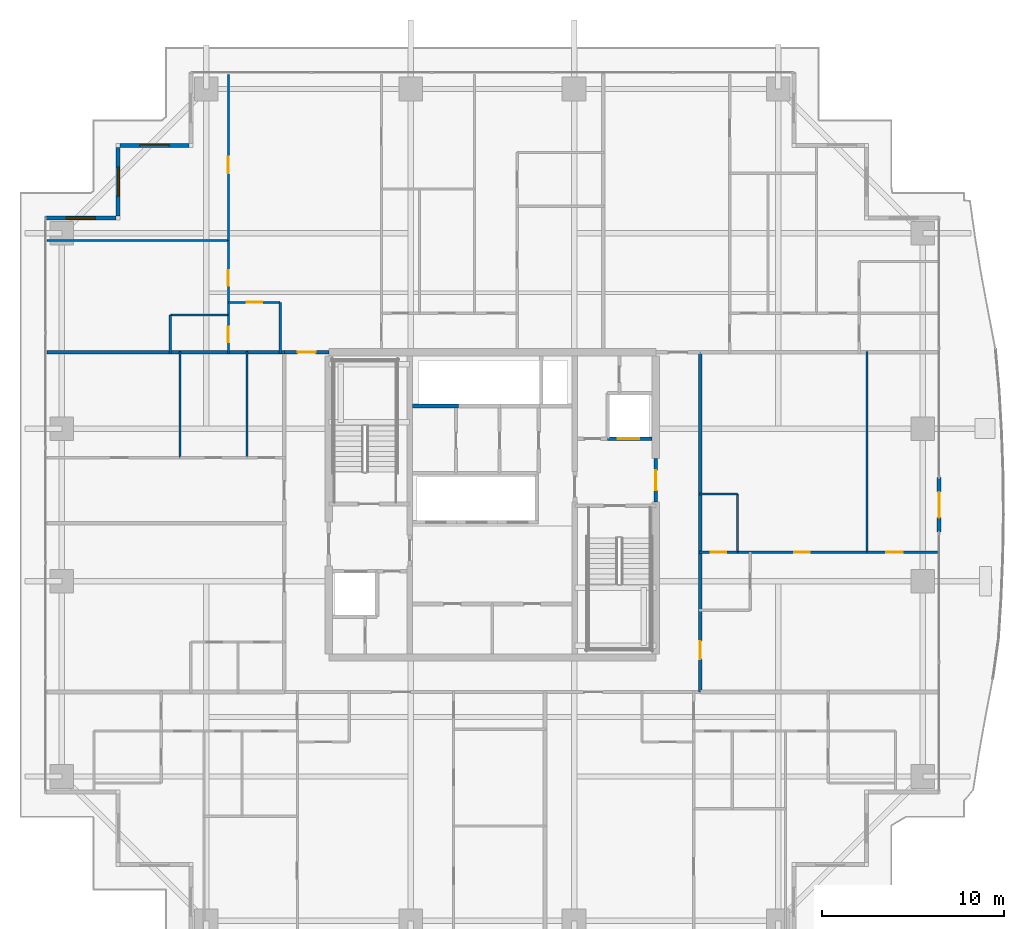
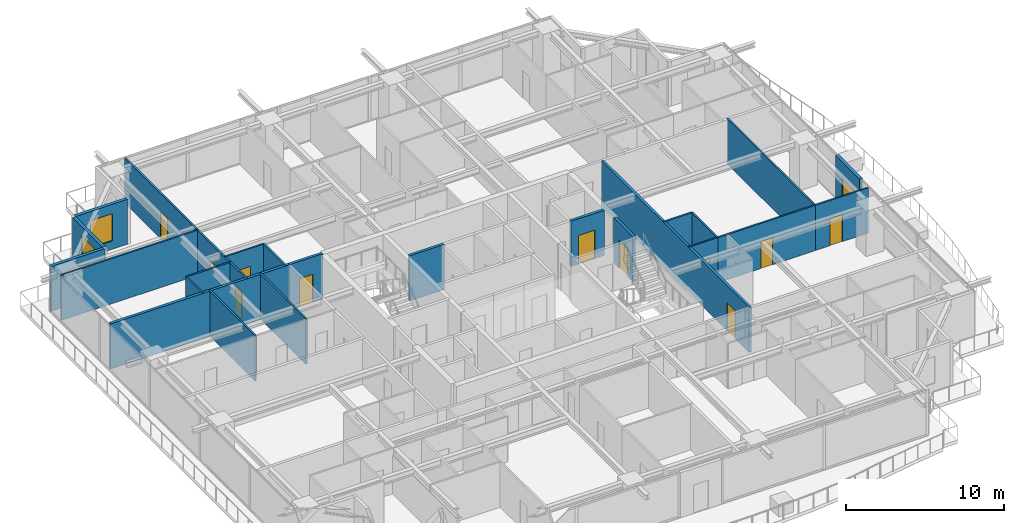
# One storey, part 30 of 38: 26 walls, 12 doors, 3 windows, 15 openings.
"""IFC4 building model written with IfcOpenShell, lengths in metres."""

from ifc_helpers import new_model, si_unit, direction, frame, frame_2d, origin, place, context, subcontext, project, spatial, rectangle, extrude, source, transform, mapped, material, layer, layer_set, type_object, element, fill, save


model = new_model("IFC4")

# Units and contexts
model_context = context("Model", 3, precision=1e-05, world=origin(), true_north=direction((0.0, 1.0)))
body_context = subcontext(model_context, "Body", "Model", "MODEL_VIEW")
ifc_project = project(units=[si_unit("LENGTHUNIT", "METRE"), si_unit("AREAUNIT", "SQUARE_METRE"), si_unit("VOLUMEUNIT", "CUBIC_METRE"), si_unit("PLANEANGLEUNIT", "RADIAN"), si_unit("MASSUNIT", "GRAM", prefix="KILO")], contexts=[model_context])

# Site, building, storey
site_placement = place(None, origin())
site = spatial("IfcSite", under=ifc_project, at=site_placement, CompositionType="ELEMENT")
building_placement = place(site_placement, origin())
building = spatial("IfcBuilding", under=site, at=building_placement, Name="Serunith Strait Residences", CompositionType="ELEMENT")
storey_placement = place(building_placement, frame((0.0, 0.0, 176.39990234375)))
storey = spatial("IfcBuildingStorey", under=building, at=storey_placement, Name="L44", CompositionType="ELEMENT", Elevation=176.39990234375)

# Wall, opening, door
ifc_material_1 = material(Name="Pale-Champagne Aluminium Insulated Panel", Category="aluminium")
ifc_layer_1 = layer(ifc_material_1, 0.219970703125, Name="Pale-Champagne Aluminium Insulated Panel")
ifc_layer_set_1 = layer_set([ifc_layer_1], Name="Pale-Champagne Aluminium Insulated Panel")
wall_type_1 = type_object("IfcWallType", Name="EW-ALUM-220", PredefinedType="ELEMENTEDWALL", material=ifc_layer_set_1)
wall_1_placement = place(storey_placement, frame((57.0, 23.699951171875, 0.0), z_axis=(0.0, 0.0, 1.0), x_axis=(0.0, 1.0, 0.0)))
wall_1 = element("IfcWall", 1, at=wall_1_placement, inside=storey, type_object=wall_type_1, Name="L44 E Facade Pier Wall", PredefinedType="ELEMENTEDWALL", context=body_context, shape_type="SweptSolid", body=[
    extrude(rectangle(XDim=3.0, YDim=0.219970703125, at=frame_2d((1.5, 0.0))), origin(), (0.0, 0.0, 1.0), 3.47509765625),
])
opening_1_placement = place(wall_1_placement, frame((0.800048828125, 0.0, 0.0)))
opening_1 = element("IfcOpeningElement", 2, at=opening_1_placement, cuts=wall_1, Name="Opening ED-04", PredefinedType="OPENING", context=body_context, shape_type="SweptSolid", body=[
    extrude(rectangle(XDim=1.39990234375, YDim=2.25, at=frame_2d((0.699951171875, 1.125))), frame((0.0, 0.1201171875, 0.0), z_axis=(0.0, -1.0, 0.0), x_axis=(1.0, 0.0, 0.0)), (0.0, 0.0, 1.0), 0.239990234375),
])
ifc_material_2 = material(Name="Thermally-Broken Aluminium Sliding Balcony Door", Category="aluminium")
door_type_1 = type_object("IfcDoorType", Name="ED-BALC-1400", OperationType="NOTDEFINED", PredefinedType="DOOR", material=ifc_material_2)
shared_shape_1 = source(origin(), body_context, "Body", "SweptSolid", [
    extrude(rectangle(XDim=1.39990234375, YDim=2.25, at=frame_2d((0.699951171875, 1.125))), frame((0.0, 0.02490234375, 0.0), z_axis=(0.0, -1.0, 0.0), x_axis=(1.0, 0.0, 0.0)), (0.0, 0.0, 1.0), 0.050048828125),
])
door_1_placement = place(opening_1_placement, origin())
door_1 = element("IfcDoor", 3, at=door_1_placement, inside=storey, type_object=door_type_1, Name="L44 E Vertical-Forest Balcony Door", OperationType="SLIDING_TO_LEFT", OverallHeight=2.25, OverallWidth=1.39990234375, PredefinedType="DOOR", context=body_context, shape_type="MappedRepresentation", body=[
    mapped(shared_shape_1, transform((0.0, 0.0, 0.0), scale=1.0)),
])
fill(opening_1, door_1)

# Wall, opening, window
wall_2_placement = place(storey_placement, frame((15.68994140625, 45.0, 0.0), z_axis=(0.0, 0.0, 1.0), x_axis=(-1.0, 0.0, 0.0)))
wall_2 = element("IfcWall", 4, at=wall_2_placement, inside=storey, type_object=wall_type_1, Name="L44 Girih Serrated Corner Wall 13", PredefinedType="ELEMENTEDWALL", context=body_context, shape_type="SweptSolid", body=[
    extrude(rectangle(XDim=3.780029296875, YDim=0.219970703125, at=frame_2d((1.89013671875, 0.0))), origin(), (0.0, 0.0, 1.0), 3.47509765625),
])
opening_2_placement = place(wall_2_placement, frame((1.090087890625, 0.0, 0.64990234375)))
opening_2 = element("IfcOpeningElement", 5, at=opening_2_placement, cuts=wall_2, Name="Opening W-02", PredefinedType="OPENING", context=body_context, shape_type="SweptSolid", body=[
    extrude(rectangle(XDim=1.60009765625, YDim=2.10009765625, at=frame_2d((0.800048828125, 1.050048828125))), frame((0.0, 0.1201171875, 0.0), z_axis=(0.0, -1.0, 0.0), x_axis=(1.0, 0.0, 0.0)), (0.0, 0.0, 1.0), 0.239990234375),
])
ifc_material_3 = material(Name="Ceramic-Fritted Operable Aluminium Window Glass", Category="aluminium")
window_type = type_object("IfcWindowType", Name="WIN-C2", PartitioningType="DOUBLE_PANEL_VERTICAL", PredefinedType="WINDOW", material=ifc_material_3)
shared_shape_2 = source(origin(), body_context, "Body", "SweptSolid", [
    extrude(rectangle(XDim=1.60009765625, YDim=2.10009765625, at=frame_2d((0.800048828125, 1.050048828125))), frame((0.0, 0.030029296875, 0.0), z_axis=(0.0, -1.0, 0.0), x_axis=(1.0, 0.0, 0.0)), (0.0, 0.0, 1.0), 0.06005859375),
])
window_1_placement = place(opening_2_placement, origin())
window_1 = element("IfcWindow", 6, at=window_1_placement, inside=storey, type_object=window_type, Name="L44 Corner Operable Fritted Window 13", OverallHeight=2.10009765625, OverallWidth=1.60009765625, PartitioningType="SINGLE_PANEL", PredefinedType="WINDOW", context=body_context, shape_type="MappedRepresentation", body=[
    mapped(shared_shape_2, transform((0.0, 0.0, 0.0), scale=1.0)),
])
fill(opening_2, window_1)

wall_3_placement = place(storey_placement, frame((11.800048828125, 44.889892578125, 0.0), z_axis=(0.0, 0.0, 1.0), x_axis=(0.0, -1.0, 0.0)))
wall_3 = element("IfcWall", 7, at=wall_3_placement, inside=storey, type_object=wall_type_1, Name="L44 Girih Serrated Corner Wall 14", PredefinedType="ELEMENTEDWALL", context=body_context, shape_type="SweptSolid", body=[
    extrude(rectangle(XDim=3.77978515625, YDim=0.219970703125, at=frame_2d((1.889892578125, 0.0))), origin(), (0.0, 0.0, 1.0), 3.47509765625),
])
opening_3_placement = place(wall_3_placement, frame((1.090087890625, 0.0, 0.64990234375)))
opening_3 = element("IfcOpeningElement", 8, at=opening_3_placement, cuts=wall_3, Name="Opening W-02", PredefinedType="OPENING", context=body_context, shape_type="SweptSolid", body=[
    extrude(rectangle(XDim=1.60009765625, YDim=2.10009765625, at=frame_2d((0.800048828125, 1.050048828125))), frame((0.0, 0.1201171875, 0.0), z_axis=(0.0, -1.0, 0.0), x_axis=(1.0, 0.0, 0.0)), (0.0, 0.0, 1.0), 0.239990234375),
])
window_2_placement = place(opening_3_placement, origin())
window_2 = element("IfcWindow", 9, at=window_2_placement, inside=storey, type_object=window_type, Name="L44 Corner Operable Fritted Window 14", OverallHeight=2.10009765625, OverallWidth=1.60009765625, PartitioningType="SINGLE_PANEL", PredefinedType="WINDOW", context=body_context, shape_type="MappedRepresentation", body=[
    mapped(shared_shape_2, transform((0.0, 0.0, 0.0), scale=1.0)),
])
fill(opening_3, window_2)

wall_4_placement = place(storey_placement, frame((11.68994140625, 41.0, 0.0), z_axis=(0.0, 0.0, 1.0), x_axis=(-1.0, 0.0, 0.0)))
wall_4 = element("IfcWall", 10, at=wall_4_placement, inside=storey, type_object=wall_type_1, Name="L44 Girih Serrated Corner Wall 15", PredefinedType="ELEMENTEDWALL", context=body_context, shape_type="SweptSolid", body=[
    extrude(rectangle(XDim=3.889892578125, YDim=0.219970703125, at=frame_2d((1.94482421875, 0.0))), origin(), (0.0, 0.0, 1.0), 3.47509765625),
])
opening_4_placement = place(wall_4_placement, frame((1.14501953125, 0.0, 0.64990234375)))
opening_4 = element("IfcOpeningElement", 11, at=opening_4_placement, cuts=wall_4, Name="Opening W-02", PredefinedType="OPENING", context=body_context, shape_type="SweptSolid", body=[
    extrude(rectangle(XDim=1.60009765625, YDim=2.10009765625, at=frame_2d((0.800048828125, 1.050048828125))), frame((0.0, 0.1201171875, 0.0), z_axis=(0.0, -1.0, 0.0), x_axis=(1.0, 0.0, 0.0)), (0.0, 0.0, 1.0), 0.239990234375),
])
window_3_placement = place(opening_4_placement, origin())
window_3 = element("IfcWindow", 12, at=window_3_placement, inside=storey, type_object=window_type, Name="L44 Corner Operable Fritted Window 15", OverallHeight=2.10009765625, OverallWidth=1.60009765625, PartitioningType="SINGLE_PANEL", PredefinedType="WINDOW", context=body_context, shape_type="MappedRepresentation", body=[
    mapped(shared_shape_2, transform((0.0, 0.0, 0.0), scale=1.0)),
])
fill(opening_4, window_3)

# Wall, opening, door
ifc_material_4 = material(Name="Fire-rated acoustic gypsum partition")
ifc_layer_2 = layer(ifc_material_4, 0.179931640625, Name="Fire-rated acoustic gypsum partition")
ifc_layer_set_2 = layer_set([ifc_layer_2], Name="Fire-rated acoustic gypsum partition")
wall_type_2 = type_object("IfcWallType", Name="IW-CORR-180", PredefinedType="PARTITIONING", material=ifc_layer_set_2)
wall_5_placement = place(storey_placement, frame((43.85009765625, 14.89990234375, 0.0), z_axis=(0.0, 0.0, 1.0), x_axis=(0.0, 1.0, 0.0)))
wall_5 = element("IfcWall", 13, at=wall_5_placement, inside=storey, type_object=wall_type_2, Name="L44 Partition Wall 029", PredefinedType="PARTITIONING", context=body_context, shape_type="SweptSolid", body=[
    extrude(rectangle(XDim=18.7001953125, YDim=0.179931640625, at=frame_2d((9.35009765625, 0.0))), origin(), (0.0, 0.0, 1.0), 3.489990234375),
])
opening_5_placement = place(wall_5_placement, frame((1.804931640625, 0.0, 0.0)))
opening_5 = element("IfcOpeningElement", 14, at=opening_5_placement, cuts=wall_5, Name="Opening D-APT1000", PredefinedType="OPENING", context=body_context, shape_type="SweptSolid", body=[
    extrude(rectangle(XDim=1.0, YDim=2.14990234375, at=frame_2d((0.5, 1.074951171875))), frame((0.0, 0.10009765625, 0.0), z_axis=(0.0, -1.0, 0.0), x_axis=(1.0, 0.0, 0.0)), (0.0, 0.0, 1.0), 0.199951171875),
])
ifc_material_5 = material(Name="Solid timber engineered fire door", Category="wood")
door_type_2 = type_object("IfcDoorType", Name="ID-APT-1000", OperationType="NOTDEFINED", PredefinedType="DOOR", material=ifc_material_5)
shared_shape_3 = source(origin(), body_context, "Body", "SweptSolid", [
    extrude(rectangle(XDim=1.0, YDim=2.14990234375, at=frame_2d((0.5, 1.074951171875))), frame((0.0, 0.02490234375, 0.0), z_axis=(0.0, -1.0, 0.0), x_axis=(1.0, 0.0, 0.0)), (0.0, 0.0, 1.0), 0.050048828125),
])
door_2_placement = place(opening_5_placement, origin())
door_2 = element("IfcDoor", 15, at=door_2_placement, inside=storey, type_object=door_type_2, Name="L44 Unit 07 Entrance Door", OperationType="SINGLE_SWING_LEFT", OverallHeight=2.14990234375, OverallWidth=1.0, PredefinedType="DOOR", context=body_context, shape_type="MappedRepresentation", body=[
    mapped(shared_shape_3, transform((0.0, 0.0, 0.0), scale=1.0)),
])
fill(opening_5, door_2)

wall_6_placement = place(storey_placement, frame((20.951904296875, 33.60009765625, 0.0), z_axis=(0.0, 0.0, 1.0), x_axis=(1.0, 0.0, 0.0)))
wall_6 = element("IfcWall", 16, at=wall_6_placement, inside=storey, type_object=wall_type_2, Name="L44 Partition Wall 030", PredefinedType="PARTITIONING", context=body_context, shape_type="SweptSolid", body=[
    extrude(rectangle(XDim=2.446044921875, YDim=0.179931640625, at=frame_2d((1.22314453125, 0.0))), origin(), (0.0, 0.0, 1.0), 3.489990234375),
])
opening_6_placement = place(wall_6_placement, frame((0.722900390625, 0.0, 0.0)))
opening_6 = element("IfcOpeningElement", 17, at=opening_6_placement, cuts=wall_6, Name="Opening D-APT1000", PredefinedType="OPENING", context=body_context, shape_type="SweptSolid", body=[
    extrude(rectangle(XDim=1.0, YDim=2.14990234375, at=frame_2d((0.5, 1.074951171875))), frame((0.0, 0.10009765625, 0.0), z_axis=(0.0, -1.0, 0.0), x_axis=(1.0, 0.0, 0.0)), (0.0, 0.0, 1.0), 0.199951171875),
])
door_3_placement = place(opening_6_placement, origin())
door_3 = element("IfcDoor", 18, at=door_3_placement, inside=storey, type_object=door_type_2, Name="L44 Unit 03 Entrance Door", OperationType="SINGLE_SWING_RIGHT", OverallHeight=2.14990234375, OverallWidth=1.0, PredefinedType="DOOR", context=body_context, shape_type="MappedRepresentation", body=[
    mapped(shared_shape_3, transform((0.0, 0.0, 0.0), scale=1.0)),
])
fill(opening_6, door_3)

ifc_material_6 = material(Name="Lightweight steel-stud gypsum partition", Category="steel")
ifc_layer_3 = layer(ifc_material_6, 0.1201171875, Name="Lightweight steel-stud gypsum partition")
ifc_layer_set_3 = layer_set([ifc_layer_3], Name="Lightweight steel-stud gypsum partition")
wall_type_3 = type_object("IfcWallType", Name="IW-PART-120", PredefinedType="PARTITIONING", material=ifc_layer_set_3)
wall_7_placement = place(storey_placement, frame((17.8701171875, 36.35009765625, 0.0), z_axis=(0.0, 0.0, 1.0), x_axis=(1.0, 0.0, 0.0)))
wall_7 = element("IfcWall", 19, at=wall_7_placement, inside=storey, type_object=wall_type_3, Name="L44 Partition Wall 069", PredefinedType="PARTITIONING", context=body_context, shape_type="SweptSolid", body=[
    extrude(rectangle(XDim=2.849853515625, YDim=0.1201171875, at=frame_2d((1.4248046875, 0.0))), origin(), (0.0, 0.0, 1.0), 3.489990234375),
])
opening_7_placement = place(wall_7_placement, frame((1.0, 0.0, 0.0)))
opening_7 = element("IfcOpeningElement", 20, at=opening_7_placement, cuts=wall_7, Name="Opening D-RM850", PredefinedType="OPENING", context=body_context, shape_type="SweptSolid", body=[
    extrude(rectangle(XDim=0.85009765625, YDim=2.10009765625, at=frame_2d((0.425048828125, 1.050048828125))), frame((0.0, 0.070068359375, 0.0), z_axis=(0.0, -1.0, 0.0), x_axis=(1.0, 0.0, 0.0)), (0.0, 0.0, 1.0), 0.14013671875),
])
ifc_material_7 = material(Name="Engineered timber flush study and kitchen door", Category="wood")
door_type_3 = type_object("IfcDoorType", Name="ID-ROOM-850", OperationType="NOTDEFINED", PredefinedType="DOOR", material=ifc_material_7)
shared_shape_4 = source(origin(), body_context, "Body", "SweptSolid", [
    extrude(rectangle(XDim=0.85009765625, YDim=2.10009765625, at=frame_2d((0.425048828125, 1.050048828125))), frame((0.0, 0.02490234375, 0.0), z_axis=(0.0, -1.0, 0.0), x_axis=(1.0, 0.0, 0.0)), (0.0, 0.0, 1.0), 0.050048828125),
])
door_4_placement = place(opening_7_placement, origin())
door_4 = element("IfcDoor", 21, at=door_4_placement, inside=storey, type_object=door_type_3, Name="L44 Kitchen 4403 Door", OperationType="SINGLE_SWING_LEFT", OverallHeight=2.10009765625, OverallWidth=0.85009765625, PredefinedType="DOOR", context=body_context, shape_type="MappedRepresentation", body=[
    mapped(shared_shape_4, transform((0.0, 0.0, 0.0), scale=1.0)),
])
fill(opening_7, door_4)

# Wall
wall_8_placement = place(storey_placement, frame((20.719970703125, 36.35009765625, 0.0), z_axis=(0.0, 0.0, 1.0), x_axis=(0.0, -1.0, 0.0)))
element("IfcWall", 22, at=wall_8_placement, inside=storey, type_object=wall_type_3, Name="L44 Partition Wall 070", PredefinedType="PARTITIONING", context=body_context, shape_type="SweptSolid", body=[
    extrude(rectangle(XDim=2.81005859375, YDim=0.1201171875, at=frame_2d((1.405029296875, 0.0))), origin(), (0.0, 0.0, 1.0), 3.489990234375),
])

# Wall, opening, door
wall_9_placement = place(storey_placement, frame((17.8701171875, 48.905029296875, 0.0), z_axis=(0.0, 0.0, 1.0), x_axis=(0.0, -1.0, 0.0)))
wall_9 = element("IfcWall", 23, at=wall_9_placement, inside=storey, type_object=wall_type_3, Name="L44 Partition Wall 071", PredefinedType="PARTITIONING", context=body_context, shape_type="SweptSolid", body=[
    extrude(rectangle(XDim=9.14013671875, YDim=0.1201171875, at=frame_2d((4.570068359375, 0.0))), origin(), (0.0, 0.0, 1.0), 3.489990234375),
])
opening_8_placement = place(wall_9_placement, frame((4.531982421875, 0.0, 0.0)))
opening_8 = element("IfcOpeningElement", 24, at=opening_8_placement, cuts=wall_9, Name="Opening D-RM900", PredefinedType="OPENING", context=body_context, shape_type="SweptSolid", body=[
    extrude(rectangle(XDim=0.89990234375, YDim=2.10009765625, at=frame_2d((0.449951171875, 1.050048828125))), frame((0.0, 0.070068359375, 0.0), z_axis=(0.0, -1.0, 0.0), x_axis=(1.0, 0.0, 0.0)), (0.0, 0.0, 1.0), 0.14013671875),
])
ifc_material_8 = material(Name="Engineered timber flush bedroom door", Category="wood")
door_type_4 = type_object("IfcDoorType", Name="ID-ROOM-900", OperationType="NOTDEFINED", PredefinedType="DOOR", material=ifc_material_8)
shared_shape_5 = source(origin(), body_context, "Body", "SweptSolid", [
    extrude(rectangle(XDim=0.89990234375, YDim=2.10009765625, at=frame_2d((0.449951171875, 1.050048828125))), frame((0.0, 0.02490234375, 0.0), z_axis=(0.0, -1.0, 0.0), x_axis=(1.0, 0.0, 0.0)), (0.0, 0.0, 1.0), 0.050048828125),
])
door_5_placement = place(opening_8_placement, origin())
door_5 = element("IfcDoor", 25, at=door_5_placement, inside=storey, type_object=door_type_4, Name="L44 Master Bedroom 1 4403 Door", OperationType="SINGLE_SWING_RIGHT", OverallHeight=2.10009765625, OverallWidth=0.89990234375, PredefinedType="DOOR", context=body_context, shape_type="MappedRepresentation", body=[
    mapped(shared_shape_5, transform((0.0, 0.0, 0.0), scale=1.0)),
])
fill(opening_8, door_5)

# Walls
wall_10_placement = place(storey_placement, frame((7.89501953125, 39.764892578125, 0.0), z_axis=(0.0, 0.0, 1.0), x_axis=(1.0, 0.0, 0.0)))
element("IfcWall", 26, at=wall_10_placement, inside=storey, type_object=wall_type_3, Name="L44 Partition Wall 072", PredefinedType="PARTITIONING", context=body_context, shape_type="SweptSolid", body=[
    extrude(rectangle(XDim=9.97509765625, YDim=0.1201171875, at=frame_2d((4.987548828125, 0.0))), origin(), (0.0, 0.0, 1.0), 3.489990234375),
])
wall_11_placement = place(storey_placement, frame((14.669921875, 35.64990234375, 0.0), z_axis=(0.0, 0.0, 1.0), x_axis=(1.0, 0.0, 0.0)))
element("IfcWall", 27, at=wall_11_placement, inside=storey, type_object=wall_type_3, Name="L44 Partition Wall 073", PredefinedType="PARTITIONING", context=body_context, shape_type="SweptSolid", body=[
    extrude(rectangle(XDim=3.2001953125, YDim=0.1201171875, at=frame_2d((1.60009765625, 0.0))), origin(), (0.0, 0.0, 1.0), 3.489990234375),
])
wall_12_placement = place(storey_placement, frame((14.669921875, 35.64990234375, 0.0), z_axis=(0.0, 0.0, 1.0), x_axis=(0.0, -1.0, 0.0)))
element("IfcWall", 28, at=wall_12_placement, inside=storey, type_object=wall_type_3, Name="L44 Partition Wall 074", PredefinedType="PARTITIONING", context=body_context, shape_type="SweptSolid", body=[
    extrude(rectangle(XDim=2.10986328125, YDim=0.1201171875, at=frame_2d((1.054931640625, 0.0))), origin(), (0.0, 0.0, 1.0), 3.489990234375),
])

# Wall, opening, door
wall_13_placement = place(storey_placement, frame((17.8701171875, 39.762939453125, 0.0), z_axis=(0.0, 0.0, 1.0), x_axis=(0.0, -1.0, 0.0)))
wall_13 = element("IfcWall", 29, at=wall_13_placement, inside=storey, type_object=wall_type_3, Name="L44 Partition Wall 075", PredefinedType="PARTITIONING", context=body_context, shape_type="SweptSolid", body=[
    extrude(rectangle(XDim=4.113037109375, YDim=0.1201171875, at=frame_2d((2.056640625, 0.0))), origin(), (0.0, 0.0, 1.0), 3.489990234375),
])
opening_9_placement = place(wall_13_placement, frame((1.631103515625, 0.0, 0.0)))
opening_9 = element("IfcOpeningElement", 30, at=opening_9_placement, cuts=wall_13, Name="Opening D-RM850", PredefinedType="OPENING", context=body_context, shape_type="SweptSolid", body=[
    extrude(rectangle(XDim=0.85009765625, YDim=2.10009765625, at=frame_2d((0.425048828125, 1.050048828125))), frame((0.0, 0.070068359375, 0.0), z_axis=(0.0, -1.0, 0.0), x_axis=(1.0, 0.0, 0.0)), (0.0, 0.0, 1.0), 0.14013671875),
])
door_6_placement = place(opening_9_placement, origin())
door_6 = element("IfcDoor", 31, at=door_6_placement, inside=storey, type_object=door_type_3, Name="L44 Walk-in Wardrobe 4403 Door", OperationType="SINGLE_SWING_LEFT", OverallHeight=2.10009765625, OverallWidth=0.85009765625, PredefinedType="DOOR", context=body_context, shape_type="MappedRepresentation", body=[
    mapped(shared_shape_4, transform((0.0, 0.0, 0.0), scale=1.0)),
])
fill(opening_9, door_6)

wall_14_placement = place(storey_placement, frame((17.8701171875, 35.64794921875, 0.0), z_axis=(0.0, 0.0, 1.0), x_axis=(0.0, -1.0, 0.0)))
wall_14 = element("IfcWall", 32, at=wall_14_placement, inside=storey, type_object=wall_type_3, Name="L44 Partition Wall 076", PredefinedType="PARTITIONING", context=body_context, shape_type="SweptSolid", body=[
    extrude(rectangle(XDim=2.10791015625, YDim=0.1201171875, at=frame_2d((1.053955078125, 0.0))), origin(), (0.0, 0.0, 1.0), 3.489990234375),
])
opening_10_placement = place(wall_14_placement, frame((0.62890625, 0.0, 0.0)))
opening_10 = element("IfcOpeningElement", 33, at=opening_10_placement, cuts=wall_14, Name="Opening D-BTH850", PredefinedType="OPENING", context=body_context, shape_type="SweptSolid", body=[
    extrude(rectangle(XDim=0.85009765625, YDim=2.10009765625, at=frame_2d((0.425048828125, 1.050048828125))), frame((0.0, 0.070068359375, 0.0), z_axis=(0.0, -1.0, 0.0), x_axis=(1.0, 0.0, 0.0)), (0.0, 0.0, 1.0), 0.14013671875),
])
ifc_material_9 = material(Name="Moisture-resistant timber bathroom door", Category="wood")
door_type_5 = type_object("IfcDoorType", Name="ID-BATH-850", OperationType="NOTDEFINED", PredefinedType="DOOR", material=ifc_material_9)
door_7_placement = place(opening_10_placement, origin())
door_7 = element("IfcDoor", 34, at=door_7_placement, inside=storey, type_object=door_type_5, Name="L44 Bathroom 4403 Door", OperationType="SINGLE_SWING_RIGHT", OverallHeight=2.10009765625, OverallWidth=0.85009765625, PredefinedType="DOOR", context=body_context, shape_type="MappedRepresentation", body=[
    mapped(shared_shape_4, transform((0.0, 0.0, 0.0), scale=1.0)),
])
fill(opening_10, door_7)

# Walls
for number, where, z_axis, x_axis, name in (
    (35, (15.197998046875, 27.800048828125, 0.0), (0.0, 0.0, 1.0), (0.0, 1.0, 0.0), "L44 Partition Wall 109"),
    (36, (18.89990234375, 27.800048828125, 0.0), (0.0, 0.0, 1.0), (0.0, 1.0, 0.0), "L44 Partition Wall 110"),
):
    element("IfcWall", number, at=place(storey_placement, frame(where, z_axis=z_axis, x_axis=x_axis)), inside=storey, type_object=wall_type_3, Name=name, PredefinedType="PARTITIONING", context=body_context, shape_type="SweptSolid", body=[
        extrude(rectangle(XDim=5.85986328125, YDim=0.1201171875, at=frame_2d((2.929931640625, 0.0))), origin(), (0.0, 0.0, 1.0), 3.489990234375),
    ])

# Wall, opening, door
wall_15_placement = place(storey_placement, frame((56.905029296875, 22.60009765625, 0.0), z_axis=(0.0, 0.0, 1.0), x_axis=(-1.0, 0.0, 0.0)))
wall_15 = element("IfcWall", 37, at=wall_15_placement, inside=storey, type_object=wall_type_3, Name="L44 Partition Wall 115", PredefinedType="PARTITIONING", context=body_context, shape_type="SweptSolid", body=[
    extrude(rectangle(XDim=3.879150390625, YDim=0.1201171875, at=frame_2d((1.939453125, 0.0))), origin(), (0.0, 0.0, 1.0), 3.489990234375),
])
opening_11_placement = place(wall_15_placement, frame((1.91796875, 0.0, 0.0)))
opening_11 = element("IfcOpeningElement", 38, at=opening_11_placement, cuts=wall_15, Name="Opening D-RM900", PredefinedType="OPENING", context=body_context, shape_type="SweptSolid", body=[
    extrude(rectangle(XDim=0.89990234375, YDim=2.10009765625, at=frame_2d((0.449951171875, 1.050048828125))), frame((0.0, 0.070068359375, 0.0), z_axis=(0.0, -1.0, 0.0), x_axis=(1.0, 0.0, 0.0)), (0.0, 0.0, 1.0), 0.14013671875),
])
door_8_placement = place(opening_11_placement, origin())
door_8 = element("IfcDoor", 39, at=door_8_placement, inside=storey, type_object=door_type_4, Name="L44 Master Bedroom 1 4407 Door", OperationType="SINGLE_SWING_LEFT", OverallHeight=2.10009765625, OverallWidth=0.89990234375, PredefinedType="DOOR", context=body_context, shape_type="MappedRepresentation", body=[
    mapped(shared_shape_5, transform((0.0, 0.0, 0.0), scale=1.0)),
])
fill(opening_11, door_8)

# Walls
wall_16_placement = place(storey_placement, frame((53.02587890625, 22.60009765625, 0.0), z_axis=(0.0, 0.0, 1.0), x_axis=(0.0, 1.0, 0.0)))
element("IfcWall", 40, at=wall_16_placement, inside=storey, type_object=wall_type_3, Name="L44 Partition Wall 116", PredefinedType="PARTITIONING", context=body_context, shape_type="SweptSolid", body=[
    extrude(rectangle(XDim=11.059814453125, YDim=0.1201171875, at=frame_2d((5.52978515625, 0.0))), origin(), (0.0, 0.0, 1.0), 3.489990234375),
])
wall_17_placement = place(storey_placement, frame((45.89990234375, 22.60009765625, 0.0), z_axis=(0.0, 0.0, 1.0), x_axis=(0.0, 1.0, 0.0)))
element("IfcWall", 41, at=wall_17_placement, inside=storey, type_object=wall_type_3, Name="L44 Partition Wall 117", PredefinedType="PARTITIONING", context=body_context, shape_type="SweptSolid", body=[
    extrude(rectangle(XDim=3.199951171875, YDim=0.1201171875, at=frame_2d((1.60009765625, 0.0))), origin(), (0.0, 0.0, 1.0), 3.489990234375),
])
wall_18_placement = place(storey_placement, frame((45.89990234375, 25.800048828125, 0.0), z_axis=(0.0, 0.0, 1.0), x_axis=(-1.0, 0.0, 0.0)))
element("IfcWall", 42, at=wall_18_placement, inside=storey, type_object=wall_type_3, Name="L44 Partition Wall 118", PredefinedType="PARTITIONING", context=body_context, shape_type="SweptSolid", body=[
    extrude(rectangle(XDim=2.10986328125, YDim=0.1201171875, at=frame_2d((1.054931640625, 0.0))), origin(), (0.0, 0.0, 1.0), 3.489990234375),
])

# Wall, opening, door
wall_19_placement = place(storey_placement, frame((53.02392578125, 22.60009765625, 0.0), z_axis=(0.0, 0.0, 1.0), x_axis=(-1.0, 0.0, 0.0)))
wall_19 = element("IfcWall", 43, at=wall_19_placement, inside=storey, type_object=wall_type_3, Name="L44 Partition Wall 119", PredefinedType="PARTITIONING", context=body_context, shape_type="SweptSolid", body=[
    extrude(rectangle(XDim=7.1240234375, YDim=0.1201171875, at=frame_2d((3.56201171875, 0.0))), origin(), (0.0, 0.0, 1.0), 3.489990234375),
])
opening_12_placement = place(wall_19_placement, frame((3.136962890625, 0.0, 0.0)))
opening_12 = element("IfcOpeningElement", 44, at=opening_12_placement, cuts=wall_19, Name="Opening D-RM850", PredefinedType="OPENING", context=body_context, shape_type="SweptSolid", body=[
    extrude(rectangle(XDim=0.85009765625, YDim=2.10009765625, at=frame_2d((0.425048828125, 1.050048828125))), frame((0.0, 0.070068359375, 0.0), z_axis=(0.0, -1.0, 0.0), x_axis=(1.0, 0.0, 0.0)), (0.0, 0.0, 1.0), 0.14013671875),
])
door_9_placement = place(opening_12_placement, origin())
door_9 = element("IfcDoor", 45, at=door_9_placement, inside=storey, type_object=door_type_3, Name="L44 Walk-in Wardrobe 4407 Door", OperationType="SINGLE_SWING_RIGHT", OverallHeight=2.10009765625, OverallWidth=0.85009765625, PredefinedType="DOOR", context=body_context, shape_type="MappedRepresentation", body=[
    mapped(shared_shape_4, transform((0.0, 0.0, 0.0), scale=1.0)),
])
fill(opening_12, door_9)

wall_20_placement = place(storey_placement, frame((45.89794921875, 22.60009765625, 0.0), z_axis=(0.0, 0.0, 1.0), x_axis=(-1.0, 0.0, 0.0)))
wall_20 = element("IfcWall", 46, at=wall_20_placement, inside=storey, type_object=wall_type_3, Name="L44 Partition Wall 120", PredefinedType="PARTITIONING", context=body_context, shape_type="SweptSolid", body=[
    extrude(rectangle(XDim=2.10791015625, YDim=0.1201171875, at=frame_2d((1.053955078125, 0.0))), origin(), (0.0, 0.0, 1.0), 3.489990234375),
])
opening_13_placement = place(wall_20_placement, frame((0.62890625, 0.0, 0.0)))
opening_13 = element("IfcOpeningElement", 47, at=opening_13_placement, cuts=wall_20, Name="Opening D-BTH850", PredefinedType="OPENING", context=body_context, shape_type="SweptSolid", body=[
    extrude(rectangle(XDim=0.85009765625, YDim=2.10009765625, at=frame_2d((0.425048828125, 1.050048828125))), frame((0.0, 0.070068359375, 0.0), z_axis=(0.0, -1.0, 0.0), x_axis=(1.0, 0.0, 0.0)), (0.0, 0.0, 1.0), 0.14013671875),
])
door_10_placement = place(opening_13_placement, origin())
door_10 = element("IfcDoor", 48, at=door_10_placement, inside=storey, type_object=door_type_5, Name="L44 Bathroom 4407 Door", OperationType="SINGLE_SWING_LEFT", OverallHeight=2.10009765625, OverallWidth=0.85009765625, PredefinedType="DOOR", context=body_context, shape_type="MappedRepresentation", body=[
    mapped(shared_shape_4, transform((0.0, 0.0, 0.0), scale=1.0)),
])
fill(opening_13, door_10)

# Wall
ifc_material_10 = material(Name="Twin-stud acoustic gypsum board partition")
ifc_layer_4 = layer(ifc_material_10, 0.199951171875, Name="Twin-stud acoustic gypsum board partition")
ifc_layer_set_4 = layer_set([ifc_layer_4], Name="Twin-stud acoustic gypsum board partition")
wall_type_4 = type_object("IfcWallType", Name="IW-PARTY-200", PredefinedType="PARTITIONING", material=ifc_layer_set_4)
wall_21_placement = place(storey_placement, frame((7.882080078125, 33.60009765625, 0.0), z_axis=(0.0, 0.0, 1.0), x_axis=(1.0, 0.0, 0.0)))
element("IfcWall", 49, at=wall_21_placement, inside=storey, type_object=wall_type_4, Name="L44 Partition Wall 025", PredefinedType="PARTITIONING", context=body_context, shape_type="SweptSolid", body=[
    extrude(rectangle(XDim=13.06787109375, YDim=0.199951171875, at=frame_2d((6.533935546875, 0.0))), origin(), (0.0, 0.0, 1.0), 3.489990234375),
])

# Wall, opening, door
ifc_material_11 = material(Name="Autoclaved aerated concrete blockwork", Category="masonry")
ifc_layer_5 = layer(ifc_material_11, 0.199951171875, Name="Autoclaved aerated concrete blockwork")
ifc_layer_set_5 = layer_set([ifc_layer_5], Name="Autoclaved aerated concrete blockwork")
wall_type_5 = type_object("IfcWallType", Name="IW-SHAFT-200", PredefinedType="STANDARD", material=ifc_layer_set_5)
wall_22_placement = place(storey_placement, frame((38.75, 28.85009765625, 0.0), z_axis=(0.0, 0.0, 1.0), x_axis=(1.0, 0.0, 0.0)))
wall_22 = element("IfcWall", 50, at=wall_22_placement, inside=storey, type_object=wall_type_5, Name="L44 FL-2 South Shaft Wall", PredefinedType="STANDARD", context=body_context, shape_type="SweptSolid", body=[
    extrude(rectangle(XDim=2.449951171875, YDim=0.199951171875, at=frame_2d((1.22509765625, 0.0))), origin(), (0.0, 0.0, 1.0), 3.489990234375),
])
opening_14_placement = place(wall_22_placement, frame((0.550048828125, 0.0, 0.0)))
opening_14 = element("IfcOpeningElement", 51, at=opening_14_placement, cuts=wall_22, Name="Opening LD-FF1200", PredefinedType="OPENING", context=body_context, shape_type="SweptSolid", body=[
    extrude(rectangle(XDim=1.199951171875, YDim=2.199951171875, at=frame_2d((0.60009765625, 1.10009765625))), frame((0.0, 0.10986328125, 0.0), z_axis=(0.0, -1.0, 0.0), x_axis=(1.0, 0.0, 0.0)), (0.0, 0.0, 1.0), 0.219970703125),
])
ifc_material_12 = material(Name="Brushed stainless steel landing door", Category="steel")
door_type_6 = type_object("IfcDoorType", Name="LD-FF-1200", OperationType="DOUBLE_DOOR_SLIDING", PredefinedType="DOOR", material=ifc_material_12)
shared_shape_6 = source(origin(), body_context, "Body", "SweptSolid", [
    extrude(rectangle(XDim=1.199951171875, YDim=2.199951171875, at=frame_2d((0.60009765625, 1.10009765625))), frame((0.0, 0.02490234375, 0.0), z_axis=(0.0, -1.0, 0.0), x_axis=(1.0, 0.0, 0.0)), (0.0, 0.0, 1.0), 0.050048828125),
])
door_11_placement = place(opening_14_placement, origin())
door_11 = element("IfcDoor", 52, at=door_11_placement, inside=storey, type_object=door_type_6, Name="L44 FL-2 Landing Door", OperationType="DOUBLE_DOOR_SLIDING", OverallHeight=2.199951171875, OverallWidth=1.199951171875, PredefinedType="DOOR", context=body_context, shape_type="MappedRepresentation", body=[
    mapped(shared_shape_6, transform((0.0, 0.0, 0.0), scale=1.0)),
])
fill(opening_14, door_11)

# Wall
wall_23_placement = place(storey_placement, frame((28.0, 30.64990234375, 0.0), z_axis=(0.0, 0.0, 1.0), x_axis=(1.0, 0.0, 0.0)))
element("IfcWall", 53, at=wall_23_placement, inside=storey, type_object=wall_type_5, Name="L44 PL-7 South Shaft Wall", PredefinedType="STANDARD", context=body_context, shape_type="SweptSolid", body=[
    extrude(rectangle(XDim=2.550048828125, YDim=0.199951171875, at=frame_2d((1.27490234375, 0.0))), origin(), (0.0, 0.0, 1.0), 3.489990234375),
])

# Wall, opening, door
wall_24_placement = place(storey_placement, frame((41.39990234375, 25.35205078125, 0.0), z_axis=(0.0, 0.0, 1.0), x_axis=(0.0, 1.0, 0.0)))
wall_24 = element("IfcWall", 54, at=wall_24_placement, inside=storey, type_object=wall_type_5, Name="L44 Partition Wall 008", PredefinedType="STANDARD", context=body_context, shape_type="SweptSolid", body=[
    extrude(rectangle(XDim=2.39599609375, YDim=0.199951171875, at=frame_2d((1.197998046875, 0.0))), origin(), (0.0, 0.0, 1.0), 3.489990234375),
])
opening_15_placement = place(wall_24_placement, frame((0.64794921875, 0.0, 0.0)))
opening_15 = element("IfcOpeningElement", 55, at=opening_15_placement, cuts=wall_24, Name="Opening FD-FFL", PredefinedType="OPENING", context=body_context, shape_type="SweptSolid", body=[
    extrude(rectangle(XDim=1.10009765625, YDim=2.14990234375, at=frame_2d((0.550048828125, 1.074951171875))), frame((0.0, 0.10986328125, 0.0), z_axis=(0.0, -1.0, 0.0), x_axis=(1.0, 0.0, 0.0)), (0.0, 0.0, 1.0), 0.219970703125),
])
ifc_material_13 = material(Name="Glazed steel smoke-lobby fire door", Category="steel")
door_type_7 = type_object("IfcDoorType", Name="FD-FFL-1100", OperationType="NOTDEFINED", PredefinedType="DOOR", material=ifc_material_13)
shared_shape_7 = source(origin(), body_context, "Body", "SweptSolid", [
    extrude(rectangle(XDim=1.10009765625, YDim=2.14990234375, at=frame_2d((0.550048828125, 1.074951171875))), frame((0.0, 0.02490234375, 0.0), z_axis=(0.0, -1.0, 0.0), x_axis=(1.0, 0.0, 0.0)), (0.0, 0.0, 1.0), 0.050048828125),
])
door_12_placement = place(opening_15_placement, origin())
door_12 = element("IfcDoor", 56, at=door_12_placement, inside=storey, type_object=door_type_7, Name="L44 FFL-2 Corridor Fire Door", OperationType="SINGLE_SWING_LEFT", OverallHeight=2.14990234375, OverallWidth=1.10009765625, PredefinedType="DOOR", context=body_context, shape_type="MappedRepresentation", body=[
    mapped(shared_shape_7, transform((0.0, 0.0, 0.0), scale=1.0)),
])
fill(opening_15, door_12)

save(model, "model.ifc")
